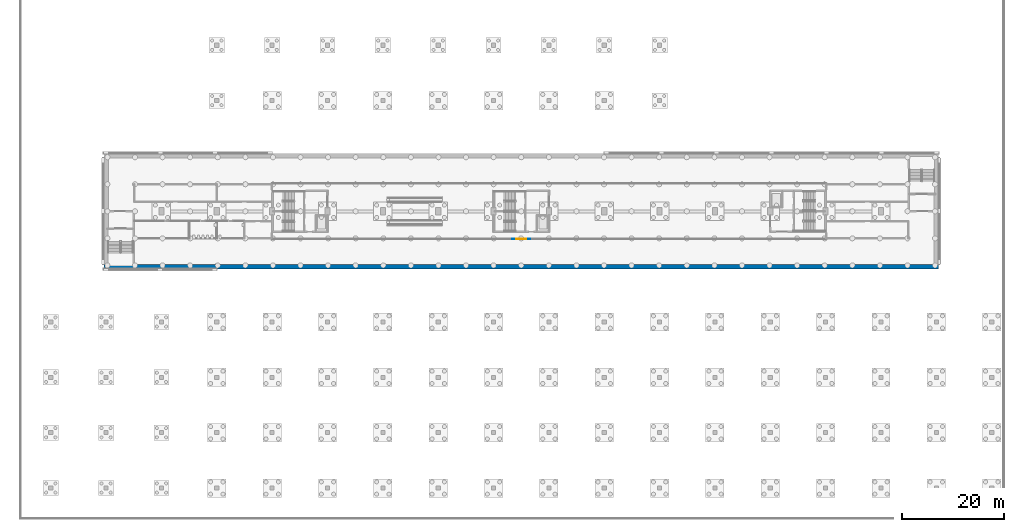
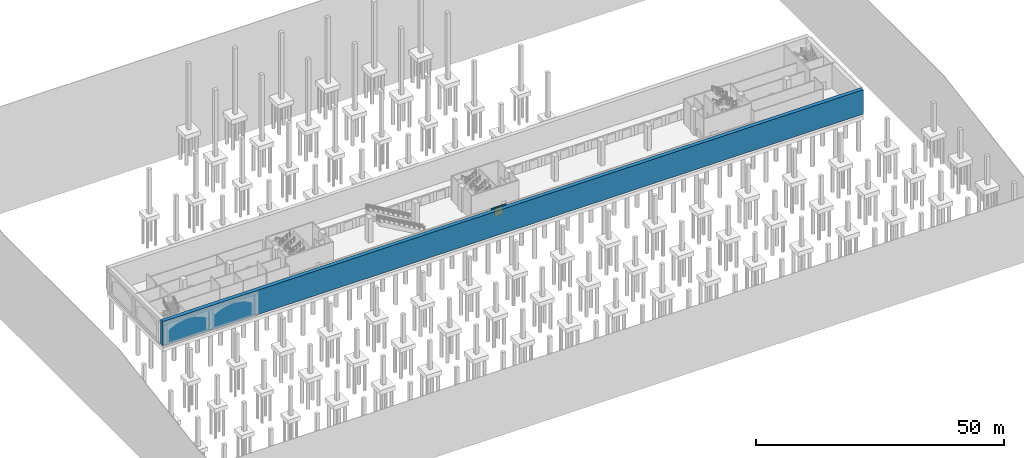
# One storey, part 8 of 39: 2 walls, 1 door, 1 opening.
"""IFC4 building model written with IfcOpenShell, lengths in metres."""

from ifc_helpers import new_model, si_unit, direction, frame, frame_2d, origin, place, context, subcontext, project, spatial, rectangle, extrude, material, layer, layer_set, type_object, element, fill, save


model = new_model("IFC4")

# Units and contexts
model_context = context("Model", 3, precision=1e-05, world=origin(), true_north=direction((0.0, 1.0)))
body_context = subcontext(model_context, "Body", "Model", "MODEL_VIEW")
ifc_project = project(units=[si_unit("LENGTHUNIT", "METRE"), si_unit("AREAUNIT", "SQUARE_METRE"), si_unit("VOLUMEUNIT", "CUBIC_METRE"), si_unit("PLANEANGLEUNIT", "RADIAN"), si_unit("MASSUNIT", "GRAM", prefix="KILO")], contexts=[model_context])

# Site, building, storey
site_placement = place(None, origin())
site = spatial("IfcSite", under=ifc_project, at=site_placement, CompositionType="ELEMENT")
building_placement = place(site_placement, origin())
building = spatial("IfcBuilding", under=site, at=building_placement, Name="Magnolia Steps Interchange", CompositionType="ELEMENT")
storey_placement = place(building_placement, frame((0.0, 0.0, -11.39990234375)))
storey = spatial("IfcBuildingStorey", under=building, at=storey_placement, Name="B2", CompositionType="ELEMENT", Elevation=-11.39990234375)

# Wall
ifc_material_1 = material(Name="Concrete C40", Category="concrete")
ifc_layer_1 = layer(ifc_material_1, 0.89990234375)
ifc_layer_set_1 = layer_set([ifc_layer_1], Name="Diaphragm wall 900")
wall_type_1 = type_object("IfcWallType", Name="Diaphragm wall 900", PredefinedType="SOLIDWALL", material=ifc_layer_set_1)
wall_1_placement = place(storey_placement, frame((20.35009765625, 53.199951171875, 0.0), z_axis=(0.0, 0.0, 1.0), x_axis=(1.0, 0.0, 0.0)))
element("IfcWall", 1, at=wall_1_placement, inside=storey, type_object=wall_type_1, Name="Metro box wall S", PredefinedType="SOLIDWALL", context=body_context, shape_type="SweptSolid", body=[
    extrude(rectangle(XDim=162.89990234375, YDim=0.89990234375, at=frame_2d((81.449951171875, 0.0))), origin(), (0.0, 0.0, 1.0), 6.0),
])

# Wall, opening, door
ifc_material_2 = material(Name="Toughened glass", Category="glass")
ifc_layer_2 = layer(ifc_material_2, 0.14990234375)
ifc_layer_set_2 = layer_set([ifc_layer_2], Name="Platform screen panel 150")
wall_type_2 = type_object("IfcWallType", Name="Platform screen panel 150", PredefinedType="PARTITIONING", material=ifc_layer_set_2)
wall_2_placement = place(storey_placement, frame((100.0, 58.60009765625, 0.0), z_axis=(0.0, 0.0, 1.0), x_axis=(1.0, 0.0, 0.0)))
wall_2 = element("IfcWall", 2, at=wall_2_placement, inside=storey, type_object=wall_type_2, Name="Platform screen 14", PredefinedType="PARTITIONING", context=body_context, shape_type="SweptSolid", body=[
    extrude(rectangle(XDim=3.60009765625, YDim=0.14990234375, at=frame_2d((1.800048828125, 0.0))), origin(), (0.0, 0.0, 1.0), 2.39990234375),
])
opening_placement = place(wall_2_placement, frame((0.800048828125, 0.0, 0.0)))
opening = element("IfcOpeningElement", 3, at=opening_placement, cuts=wall_2, Name="Opening PSD", PredefinedType="OPENING", context=body_context, shape_type="SweptSolid", body=[
    extrude(rectangle(XDim=2.0, YDim=2.10009765625, at=frame_2d((1.0, 1.050048828125))), frame((0.0, 0.0849609375, 0.0), z_axis=(0.0, -1.0, 0.0), x_axis=(1.0, 0.0, 0.0)), (0.0, 0.0, 1.0), 0.169921875),
])
ifc_material_3 = material(Name="Toughened glass", Category="glass")
door_type = type_object("IfcDoorType", Name="Platform screen door 2000x2100", OperationType="DOUBLE_DOOR_SLIDING", PredefinedType="DOOR", material=ifc_material_3)
door_placement = place(opening_placement, origin())
door = element("IfcDoor", 4, at=door_placement, inside=storey, type_object=door_type, Name="Platform screen door 14", OperationType="DOUBLE_DOOR_SLIDING", OverallHeight=2.10009765625, OverallWidth=2.0, PredefinedType="DOOR", context=body_context, shape_type="SweptSolid", body=[
    extrude(rectangle(XDim=2.0, YDim=2.10009765625, at=frame_2d((1.0, 1.050048828125))), frame((0.0, 0.02490234375, 0.0), z_axis=(0.0, -1.0, 0.0), x_axis=(1.0, 0.0, 0.0)), (0.0, 0.0, 1.0), 0.050048828125),
])
fill(opening, door)

save(model, "model.ifc")
